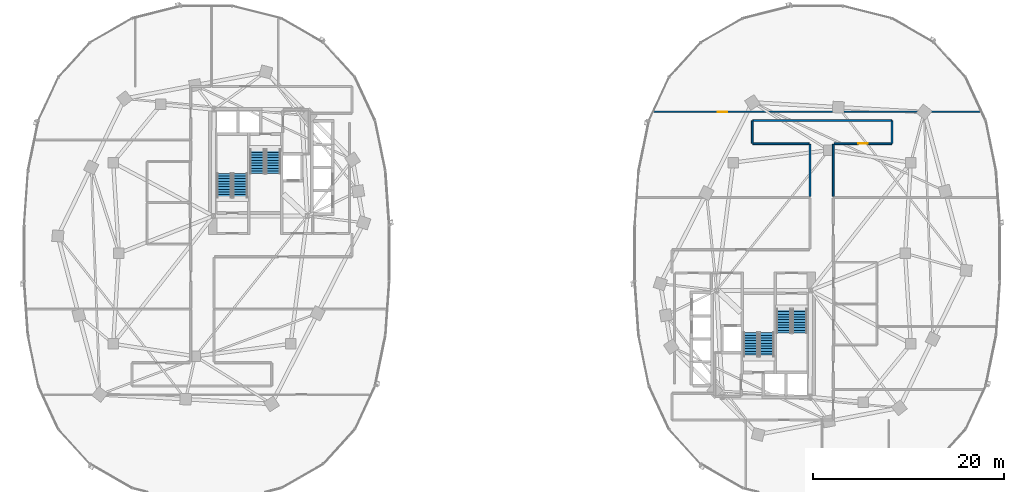
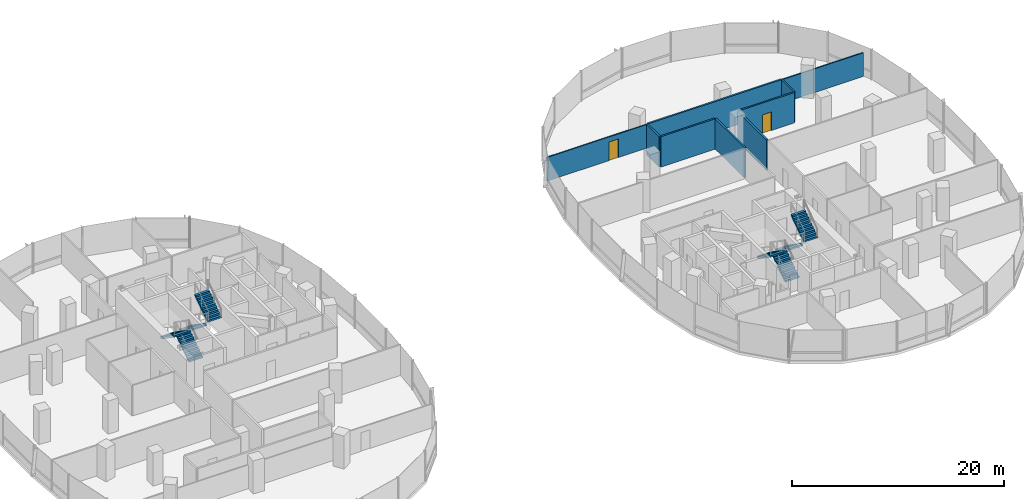
# One storey, part 14 of 21: 8 stair flights, 8 walls, 2 doors, 2 openings, 4 elements without a shape of their own.
"""IFC4 building model written with IfcOpenShell, lengths in metres."""

from ifc_helpers import new_model, si_unit, direction, frame, frame_2d, origin, place, context, subcontext, project, spatial, polyline, rectangle, outline, extrude, material, layer, layer_set, type_object, element, fill, aggregate, save


model = new_model("IFC4")

# Units and contexts
model_context = context("Model", 3, precision=1e-05, world=origin(), true_north=direction((0.0, 1.0)))
body_context = subcontext(model_context, "Body", "Model", "MODEL_VIEW")
ifc_project = project(units=[si_unit("LENGTHUNIT", "METRE"), si_unit("AREAUNIT", "SQUARE_METRE"), si_unit("VOLUMEUNIT", "CUBIC_METRE"), si_unit("PLANEANGLEUNIT", "RADIAN"), si_unit("MASSUNIT", "GRAM", prefix="KILO"), si_unit("THERMODYNAMICTEMPERATUREUNIT", "KELVIN"), si_unit("POWERUNIT", "WATT")], contexts=[model_context])

# Site, building, storey
site_placement = place(None, origin())
site = spatial("IfcSite", under=ifc_project, at=site_placement, CompositionType="ELEMENT")
building_placement = place(site_placement, origin())
building = spatial("IfcBuilding", under=site, at=building_placement, Name="Cundina Bronze Exchange", CompositionType="ELEMENT")
storey_placement = place(building_placement, frame((0.0, 0.0, 65.800048828125)))
storey = spatial("IfcBuildingStorey", under=building, at=storey_placement, Name="L16", CompositionType="ELEMENT", Elevation=65.800048828125)

# Wall
ifc_material_1 = material(Name="Gypsum Fireboard Partition EI120")
ifc_layer_1 = layer(ifc_material_1, 0.179931640625, Name="Gypsum Fireboard Partition EI120")
ifc_layer_set_1 = layer_set([ifc_layer_1], Name="Gypsum Fireboard Partition EI120")
wall_type_1 = type_object("IfcWallType", Name="WL-COR-180", PredefinedType="PARTITIONING", material=ifc_layer_set_1)
wall_1_placement = place(storey_placement, frame((39.778564453125, 13.919921875, 0.0), z_axis=(0.0, 0.0, 1.0), x_axis=(-1.0, 0.0, 0.0)))
element("IfcWall", 1, at=wall_1_placement, inside=storey, type_object=wall_type_1, Name="L16 Interior Partition 071", PredefinedType="PARTITIONING", context=body_context, shape_type="SweptSolid", body=[
    extrude(rectangle(XDim=14.55712890625, YDim=0.179931640625, at=frame_2d((7.278564453125, 0.0))), origin(), (0.0, 0.0, 1.0), 3.5),
])

# Wall, opening, door
wall_2_placement = place(storey_placement, frame((33.75, 11.47998046875, 0.0), z_axis=(0.0, 0.0, 1.0), x_axis=(1.0, 0.0, 0.0)))
wall_2 = element("IfcWall", 2, at=wall_2_placement, inside=storey, type_object=wall_type_1, Name="L16 Interior Partition 072", PredefinedType="PARTITIONING", context=body_context, shape_type="SweptSolid", body=[
    extrude(rectangle(XDim=6.028564453125, YDim=0.179931640625, at=frame_2d((3.01416015625, 0.0))), origin(), (0.0, 0.0, 1.0), 3.5),
])
opening_1_placement = place(wall_2_placement, frame((2.514404296875, 0.0, 0.0)))
opening_1 = element("IfcOpeningElement", 3, at=opening_1_placement, cuts=wall_2, Name="Opening DO-01", PredefinedType="OPENING", context=body_context, shape_type="SweptSolid", body=[
    extrude(rectangle(XDim=1.0, YDim=2.14990234375, at=frame_2d((0.5, 1.074951171875))), frame((0.0, 0.099853515625, 0.0), z_axis=(0.0, -1.0, 0.0), x_axis=(1.0, 0.0, 0.0)), (0.0, 0.0, 1.0), 0.199951171875),
])
ifc_material_2 = material(Name="Solid Andean Oak Timber Grade A", Category="wood")
door_type = type_object("IfcDoorType", Name="DR-OFF-1000", OperationType="NOTDEFINED", PredefinedType="DOOR", material=ifc_material_2)
door_1_placement = place(opening_1_placement, origin())
door_1 = element("IfcDoor", 4, at=door_1_placement, inside=storey, type_object=door_type, Name="L16 Interior Door 072", OperationType="SINGLE_SWING_RIGHT", OverallHeight=2.14990234375, OverallWidth=1.0, PredefinedType="DOOR", context=body_context, shape_type="SweptSolid", body=[
    extrude(rectangle(XDim=1.0, YDim=2.14990234375, at=frame_2d((0.5, 1.074951171875))), frame((0.0, 0.02490234375, 0.0), z_axis=(0.0, -1.0, 0.0), x_axis=(1.0, 0.0, 0.0)), (0.0, 0.0, 1.0), 0.050048828125),
])
fill(opening_1, door_1)

# Walls
wall_3_placement = place(storey_placement, frame((25.221435546875, 11.47998046875, 0.0), z_axis=(0.0, 0.0, 1.0), x_axis=(1.0, 0.0, 0.0)))
element("IfcWall", 5, at=wall_3_placement, inside=storey, type_object=wall_type_1, Name="L16 Interior Partition 073", PredefinedType="PARTITIONING", context=body_context, shape_type="SweptSolid", body=[
    extrude(rectangle(XDim=5.928466796875, YDim=0.179931640625, at=frame_2d((2.96435546875, 0.0))), origin(), (0.0, 0.0, 1.0), 3.5),
])
for number, where, z_axis, x_axis, name in (
    (6, (33.669921875, 5.949951171875, 0.0), (0.0, 0.0, 1.0), (0.0, 1.0, 0.0), "L16 Interior Partition 074"),
    (7, (31.22998046875, 11.39990234375, 0.0), (0.0, 0.0, 1.0), (0.0, -1.0, 0.0), "L16 Interior Partition 075"),
):
    element("IfcWall", number, at=place(storey_placement, frame(where, z_axis=z_axis, x_axis=x_axis)), inside=storey, type_object=wall_type_1, Name=name, PredefinedType="PARTITIONING", context=body_context, shape_type="SweptSolid", body=[
        extrude(rectangle(XDim=5.449951171875, YDim=0.179931640625, at=frame_2d((2.72509765625, 0.0))), origin(), (0.0, 0.0, 1.0), 3.5),
    ])
for number, where, z_axis, x_axis, name in (
    (8, (39.820068359375, 11.521484375, 0.0), (0.0, 0.0, 1.0), (0.0, 1.0, 0.0), "L16 Interior Partition 076"),
    (9, (25.179931640625, 13.87841796875, 0.0), (0.0, 0.0, 1.0), (0.0, -1.0, 0.0), "L16 Interior Partition 077"),
):
    element("IfcWall", number, at=place(storey_placement, frame(where, z_axis=z_axis, x_axis=x_axis)), inside=storey, type_object=wall_type_1, Name=name, PredefinedType="PARTITIONING", context=body_context, shape_type="SweptSolid", body=[
        extrude(rectangle(XDim=2.35693359375, YDim=0.179931640625, at=frame_2d((1.178466796875, 0.0))), origin(), (0.0, 0.0, 1.0), 3.5),
    ])

# Wall, opening, door
ifc_material_3 = material(Name="Gypsum Acoustic Partition EI60")
ifc_layer_2 = layer(ifc_material_3, 0.125, Name="Gypsum Acoustic Partition EI60")
ifc_layer_set_2 = layer_set([ifc_layer_2], Name="Gypsum Acoustic Partition EI60")
wall_type_2 = type_object("IfcWallType", Name="WL-OFF-125", PredefinedType="PARTITIONING", material=ifc_layer_set_2)
wall_4_placement = place(storey_placement, frame((49.1953125, 14.820068359375, 0.0), z_axis=(0.0, 0.0, 1.0), x_axis=(-1.0, 0.0, 0.0)))
wall_4 = element("IfcWall", 10, at=wall_4_placement, inside=storey, type_object=wall_type_2, Name="L16 Interior Partition 078", PredefinedType="PARTITIONING", context=body_context, shape_type="SweptSolid", body=[
    extrude(rectangle(XDim=34.390625, YDim=0.125, at=frame_2d((17.1953125, 0.0))), origin(), (0.0, 0.0, 1.0), 2.72705078125),
])
opening_2_placement = place(wall_4_placement, frame((26.640625, 0.0, 0.0)))
opening_2 = element("IfcOpeningElement", 11, at=opening_2_placement, cuts=wall_4, Name="Opening DO-01", PredefinedType="OPENING", context=body_context, shape_type="SweptSolid", body=[
    extrude(rectangle(XDim=1.0, YDim=2.14990234375, at=frame_2d((0.5, 1.074951171875))), frame((0.0, 0.072509765625, 0.0), z_axis=(0.0, -1.0, 0.0), x_axis=(1.0, 0.0, 0.0)), (0.0, 0.0, 1.0), 0.14501953125),
])
door_2_placement = place(opening_2_placement, origin())
door_2 = element("IfcDoor", 12, at=door_2_placement, inside=storey, type_object=door_type, Name="L16 Interior Door 078", OperationType="SINGLE_SWING_LEFT", OverallHeight=2.14990234375, OverallWidth=1.0, PredefinedType="DOOR", context=body_context, shape_type="SweptSolid", body=[
    extrude(rectangle(XDim=1.0, YDim=2.14990234375, at=frame_2d((0.5, 1.074951171875))), frame((0.0, 0.02490234375, 0.0), z_axis=(0.0, -1.0, 0.0), x_axis=(1.0, 0.0, 0.0)), (0.0, 0.0, 1.0), 0.050048828125),
])
fill(opening_2, door_2)

# Stair, stair flights
ifc_material_4 = material(Name="Concrete C40/50", Category="concrete")
stair_type = type_object("IfcStairType", Name="STR-TRD-380", PredefinedType="HALF_TURN_STAIR", material=ifc_material_4)
stair_1_placement = place(storey_placement, origin())
stair_1 = element("IfcStair", 13, at=stair_1_placement, inside=storey, type_object=stair_type, Name="L16 Smokeproof Exit Stair W1", PredefinedType="HALF_TURN_STAIR")
stair_flight_type = type_object("IfcStairFlightType", Name="FLG-TRD-190", PredefinedType="STRAIGHT", material=ifc_material_4)
stair_flight_1_placement = place(storey_placement, frame((-28.489990234375, 5.85009765625, 0.0), z_axis=(0.0, 0.0, 1.0), x_axis=(0.0, 1.0, 0.0)))
stair_flight_1 = element("IfcStairFlight", 14, at=stair_flight_1_placement, type_object=stair_flight_type, Name="ST-W1 flight 1", NumberOfRisers=10, NumberOfTreads=9, PredefinedType="STRAIGHT", RiserHeight=0.19, TreadLength=0.28, context=body_context, shape_type="SweptSolid", body=[
    extrude(outline(polyline([(0.0, 0.0), (0.0, 0.18994140625), (0.280029296875, 0.18994140625), (0.280029296875, 0.3798828125), (0.56005859375, 0.3798828125), (0.56005859375, 0.570068359375), (0.840087890625, 0.570068359375), (0.840087890625, 0.760009765625), (1.1201171875, 0.760009765625), (1.1201171875, 0.949951171875), (1.39990234375, 0.949951171875), (1.39990234375, 1.139892578125), (1.679931640625, 1.139892578125), (1.679931640625, 1.330078125), (1.9599609375, 1.330078125), (1.9599609375, 1.52001953125), (2.239990234375, 1.52001953125), (2.239990234375, 1.7099609375), (2.52001953125, 1.7099609375), (2.52001953125, 1.89990234375), (2.52001953125, 1.52880859375), (0.266845703125, 0.0), (0.0, 0.0)])), frame((0.0, 0.75, 0.0), z_axis=(0.0, -1.0, 0.0), x_axis=(1.0, 0.0, 0.0)), (0.0, 0.0, 1.0), 1.5),
])
stair_flight_2_placement = place(storey_placement, frame((-30.14990234375, 8.3701171875, 1.89990234375), z_axis=(0.0, 0.0, 1.0), x_axis=(0.0, -1.0, 0.0)))
stair_flight_2 = element("IfcStairFlight", 15, at=stair_flight_2_placement, type_object=stair_flight_type, Name="ST-W1 flight 2", NumberOfRisers=10, NumberOfTreads=9, PredefinedType="STRAIGHT", RiserHeight=0.19, TreadLength=0.28, context=body_context, shape_type="SweptSolid", body=[
    extrude(outline(polyline([(0.0, 0.0), (0.0, 0.18994140625), (0.280029296875, 0.18994140625), (0.280029296875, 0.3798828125), (0.56005859375, 0.3798828125), (0.56005859375, 0.570068359375), (0.840087890625, 0.570068359375), (0.840087890625, 0.760009765625), (1.1201171875, 0.760009765625), (1.1201171875, 0.949951171875), (1.39990234375, 0.949951171875), (1.39990234375, 1.139892578125), (1.679931640625, 1.139892578125), (1.679931640625, 1.330078125), (1.9599609375, 1.330078125), (1.9599609375, 1.52001953125), (2.239990234375, 1.52001953125), (2.239990234375, 1.7099609375), (2.52001953125, 1.7099609375), (2.52001953125, 1.89990234375), (2.52001953125, 1.52880859375), (0.266845703125, 0.0), (0.0, 0.0)])), frame((0.0, 0.75, 0.0), z_axis=(0.0, -1.0, 0.0), x_axis=(1.0, 0.0, 0.0)), (0.0, 0.0, 1.0), 1.5),
])
aggregate(stair_1, [stair_flight_1, stair_flight_2])

stair_2_placement = place(storey_placement, origin())
stair_2 = element("IfcStair", 16, at=stair_2_placement, inside=storey, type_object=stair_type, Name="L16 Smokeproof Exit Stair W2", PredefinedType="HALF_TURN_STAIR")
stair_flight_3_placement = place(storey_placement, frame((-26.68994140625, 10.85009765625, 0.0), z_axis=(0.0, 0.0, 1.0), x_axis=(0.0, -1.0, 0.0)))
stair_flight_3 = element("IfcStairFlight", 17, at=stair_flight_3_placement, type_object=stair_flight_type, Name="ST-W2 flight 1", NumberOfRisers=10, NumberOfTreads=9, PredefinedType="STRAIGHT", RiserHeight=0.19, TreadLength=0.28, context=body_context, shape_type="SweptSolid", body=[
    extrude(outline(polyline([(0.0, 0.0), (0.0, 0.18994140625), (0.280029296875, 0.18994140625), (0.280029296875, 0.3798828125), (0.56005859375, 0.3798828125), (0.56005859375, 0.570068359375), (0.840087890625, 0.570068359375), (0.840087890625, 0.760009765625), (1.1201171875, 0.760009765625), (1.1201171875, 0.949951171875), (1.39990234375, 0.949951171875), (1.39990234375, 1.139892578125), (1.679931640625, 1.139892578125), (1.679931640625, 1.330078125), (1.9599609375, 1.330078125), (1.9599609375, 1.52001953125), (2.239990234375, 1.52001953125), (2.239990234375, 1.7099609375), (2.52001953125, 1.7099609375), (2.52001953125, 1.89990234375), (2.52001953125, 1.52880859375), (0.266845703125, 0.0), (0.0, 0.0)])), frame((0.0, 0.75, 0.0), z_axis=(0.0, -1.0, 0.0), x_axis=(1.0, 0.0, 0.0)), (0.0, 0.0, 1.0), 1.5),
])
stair_flight_4_placement = place(storey_placement, frame((-25.030029296875, 8.330078125, 1.89990234375), z_axis=(0.0, 0.0, 1.0), x_axis=(0.0, 1.0, 0.0)))
stair_flight_4 = element("IfcStairFlight", 18, at=stair_flight_4_placement, type_object=stair_flight_type, Name="ST-W2 flight 2", NumberOfRisers=10, NumberOfTreads=9, PredefinedType="STRAIGHT", RiserHeight=0.19, TreadLength=0.28, context=body_context, shape_type="SweptSolid", body=[
    extrude(outline(polyline([(0.0, 0.0), (0.0, 0.18994140625), (0.280029296875, 0.18994140625), (0.280029296875, 0.3798828125), (0.56005859375, 0.3798828125), (0.56005859375, 0.570068359375), (0.840087890625, 0.570068359375), (0.840087890625, 0.760009765625), (1.1201171875, 0.760009765625), (1.1201171875, 0.949951171875), (1.39990234375, 0.949951171875), (1.39990234375, 1.139892578125), (1.679931640625, 1.139892578125), (1.679931640625, 1.330078125), (1.9599609375, 1.330078125), (1.9599609375, 1.52001953125), (2.239990234375, 1.52001953125), (2.239990234375, 1.7099609375), (2.52001953125, 1.7099609375), (2.52001953125, 1.89990234375), (2.52001953125, 1.52880859375), (0.266845703125, 0.0), (0.0, 0.0)])), frame((0.0, 0.75, 0.0), z_axis=(0.0, -1.0, 0.0), x_axis=(1.0, 0.0, 0.0)), (0.0, 0.0, 1.0), 1.5),
])
aggregate(stair_2, [stair_flight_3, stair_flight_4])

stair_3_placement = place(storey_placement, origin())
stair_3 = element("IfcStair", 19, at=stair_3_placement, inside=storey, type_object=stair_type, Name="L16 Smokeproof Exit Stair E1", PredefinedType="HALF_TURN_STAIR")
stair_flight_5_placement = place(storey_placement, frame((28.489990234375, -5.85009765625, 0.0), z_axis=(0.0, 0.0, 1.0), x_axis=(0.0, -1.0, 0.0)))
stair_flight_5 = element("IfcStairFlight", 20, at=stair_flight_5_placement, type_object=stair_flight_type, Name="ST-E1 flight 1", NumberOfRisers=10, NumberOfTreads=9, PredefinedType="STRAIGHT", RiserHeight=0.19, TreadLength=0.28, context=body_context, shape_type="SweptSolid", body=[
    extrude(outline(polyline([(0.0, 0.0), (0.0, 0.18994140625), (0.280029296875, 0.18994140625), (0.280029296875, 0.3798828125), (0.56005859375, 0.3798828125), (0.56005859375, 0.570068359375), (0.840087890625, 0.570068359375), (0.840087890625, 0.760009765625), (1.1201171875, 0.760009765625), (1.1201171875, 0.949951171875), (1.39990234375, 0.949951171875), (1.39990234375, 1.139892578125), (1.679931640625, 1.139892578125), (1.679931640625, 1.330078125), (1.9599609375, 1.330078125), (1.9599609375, 1.52001953125), (2.239990234375, 1.52001953125), (2.239990234375, 1.7099609375), (2.52001953125, 1.7099609375), (2.52001953125, 1.89990234375), (2.52001953125, 1.52880859375), (0.266845703125, 0.0), (0.0, 0.0)])), frame((0.0, 0.75, 0.0), z_axis=(0.0, -1.0, 0.0), x_axis=(1.0, 0.0, 0.0)), (0.0, 0.0, 1.0), 1.5),
])
stair_flight_6_placement = place(storey_placement, frame((30.14990234375, -8.3701171875, 1.89990234375), z_axis=(0.0, 0.0, 1.0), x_axis=(0.0, 1.0, 0.0)))
stair_flight_6 = element("IfcStairFlight", 21, at=stair_flight_6_placement, type_object=stair_flight_type, Name="ST-E1 flight 2", NumberOfRisers=10, NumberOfTreads=9, PredefinedType="STRAIGHT", RiserHeight=0.19, TreadLength=0.28, context=body_context, shape_type="SweptSolid", body=[
    extrude(outline(polyline([(0.0, 0.0), (0.0, 0.18994140625), (0.280029296875, 0.18994140625), (0.280029296875, 0.3798828125), (0.56005859375, 0.3798828125), (0.56005859375, 0.570068359375), (0.840087890625, 0.570068359375), (0.840087890625, 0.760009765625), (1.1201171875, 0.760009765625), (1.1201171875, 0.949951171875), (1.39990234375, 0.949951171875), (1.39990234375, 1.139892578125), (1.679931640625, 1.139892578125), (1.679931640625, 1.330078125), (1.9599609375, 1.330078125), (1.9599609375, 1.52001953125), (2.239990234375, 1.52001953125), (2.239990234375, 1.7099609375), (2.52001953125, 1.7099609375), (2.52001953125, 1.89990234375), (2.52001953125, 1.52880859375), (0.266845703125, 0.0), (0.0, 0.0)])), frame((0.0, 0.75, 0.0), z_axis=(0.0, -1.0, 0.0), x_axis=(1.0, 0.0, 0.0)), (0.0, 0.0, 1.0), 1.5),
])
aggregate(stair_3, [stair_flight_5, stair_flight_6])

stair_4_placement = place(storey_placement, origin())
stair_4 = element("IfcStair", 22, at=stair_4_placement, inside=storey, type_object=stair_type, Name="L16 Smokeproof Exit Stair E2", PredefinedType="HALF_TURN_STAIR")
stair_flight_7_placement = place(storey_placement, frame((26.68994140625, -10.85009765625, 0.0), z_axis=(0.0, 0.0, 1.0), x_axis=(0.0, 1.0, 0.0)))
stair_flight_7 = element("IfcStairFlight", 23, at=stair_flight_7_placement, type_object=stair_flight_type, Name="ST-E2 flight 1", NumberOfRisers=10, NumberOfTreads=9, PredefinedType="STRAIGHT", RiserHeight=0.19, TreadLength=0.28, context=body_context, shape_type="SweptSolid", body=[
    extrude(outline(polyline([(0.0, 0.0), (0.0, 0.18994140625), (0.280029296875, 0.18994140625), (0.280029296875, 0.3798828125), (0.56005859375, 0.3798828125), (0.56005859375, 0.570068359375), (0.840087890625, 0.570068359375), (0.840087890625, 0.760009765625), (1.1201171875, 0.760009765625), (1.1201171875, 0.949951171875), (1.39990234375, 0.949951171875), (1.39990234375, 1.139892578125), (1.679931640625, 1.139892578125), (1.679931640625, 1.330078125), (1.9599609375, 1.330078125), (1.9599609375, 1.52001953125), (2.239990234375, 1.52001953125), (2.239990234375, 1.7099609375), (2.52001953125, 1.7099609375), (2.52001953125, 1.89990234375), (2.52001953125, 1.52880859375), (0.266845703125, 0.0), (0.0, 0.0)])), frame((0.0, 0.75, 0.0), z_axis=(0.0, -1.0, 0.0), x_axis=(1.0, 0.0, 0.0)), (0.0, 0.0, 1.0), 1.5),
])
stair_flight_8_placement = place(storey_placement, frame((25.030029296875, -8.330078125, 1.89990234375), z_axis=(0.0, 0.0, 1.0), x_axis=(0.0, -1.0, 0.0)))
stair_flight_8 = element("IfcStairFlight", 24, at=stair_flight_8_placement, type_object=stair_flight_type, Name="ST-E2 flight 2", NumberOfRisers=10, NumberOfTreads=9, PredefinedType="STRAIGHT", RiserHeight=0.19, TreadLength=0.28, context=body_context, shape_type="SweptSolid", body=[
    extrude(outline(polyline([(0.0, 0.0), (0.0, 0.18994140625), (0.280029296875, 0.18994140625), (0.280029296875, 0.3798828125), (0.56005859375, 0.3798828125), (0.56005859375, 0.570068359375), (0.840087890625, 0.570068359375), (0.840087890625, 0.760009765625), (1.1201171875, 0.760009765625), (1.1201171875, 0.949951171875), (1.39990234375, 0.949951171875), (1.39990234375, 1.139892578125), (1.679931640625, 1.139892578125), (1.679931640625, 1.330078125), (1.9599609375, 1.330078125), (1.9599609375, 1.52001953125), (2.239990234375, 1.52001953125), (2.239990234375, 1.7099609375), (2.52001953125, 1.7099609375), (2.52001953125, 1.89990234375), (2.52001953125, 1.52880859375), (0.266845703125, 0.0), (0.0, 0.0)])), frame((0.0, 0.75, 0.0), z_axis=(0.0, -1.0, 0.0), x_axis=(1.0, 0.0, 0.0)), (0.0, 0.0, 1.0), 1.5),
])
aggregate(stair_4, [stair_flight_7, stair_flight_8])

save(model, "model.ifc")
